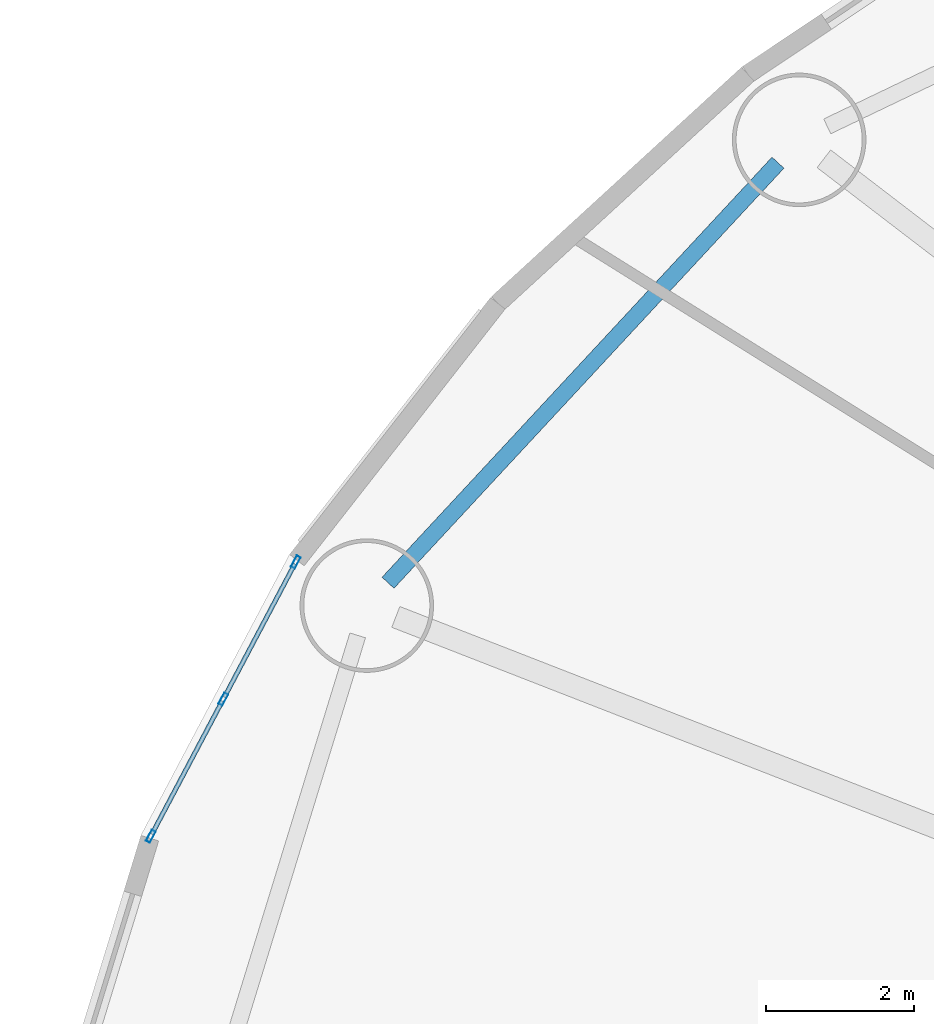
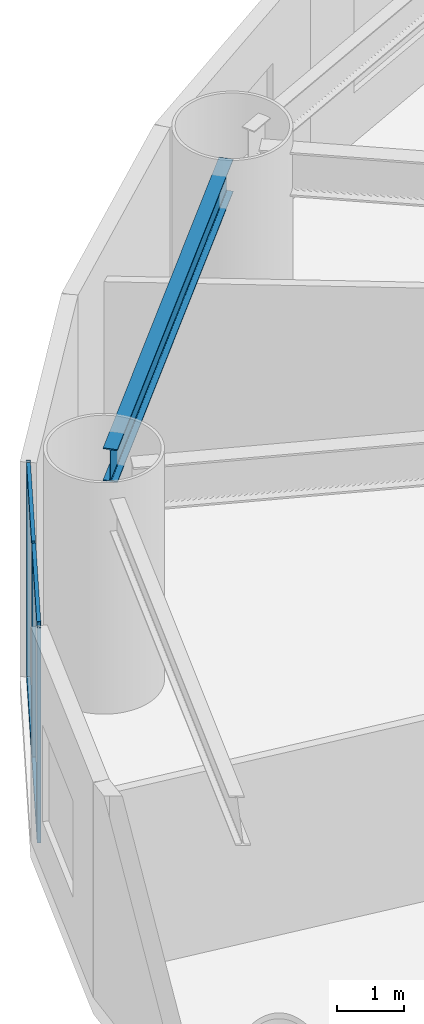
# One storey, part 8 of 27: 7 members, 1 beam, 1 element without a shape of its own.
"""IFC4 building model written with IfcOpenShell, lengths in metres."""

from ifc_helpers import new_model, si_unit, direction, frame, origin, origin_2d, place, context, subcontext, project, spatial, hollow_rectangle, i_section, extrude, source, transform, mapped, material, layer, layer_set, material_profile, profile_set, type_object, element, aggregate, save


model = new_model("IFC4")

# Units and contexts
model_context = context("Model", 3, precision=1e-05, world=origin(), true_north=direction((0.0, 1.0)))
body_context = subcontext(model_context, "Body", "Model", "MODEL_VIEW")
ifc_project = project(units=[si_unit("LENGTHUNIT", "METRE"), si_unit("AREAUNIT", "SQUARE_METRE"), si_unit("VOLUMEUNIT", "CUBIC_METRE"), si_unit("PLANEANGLEUNIT", "RADIAN"), si_unit("MASSUNIT", "GRAM", prefix="KILO")], contexts=[model_context])

# Site, building, storey
site_placement = place(None, origin())
site = spatial("IfcSite", under=ifc_project, at=site_placement, CompositionType="ELEMENT")
building_placement = place(site_placement, origin())
building = spatial("IfcBuilding", under=site, at=building_placement, Name="Linh Dai School and Residence Tower", CompositionType="ELEMENT")
storey_placement = place(building_placement, frame((0.0, 0.0, 18.60009765625)))
storey = spatial("IfcBuildingStorey", under=building, at=storey_placement, Name="L04", CompositionType="ELEMENT", Elevation=18.60009765625)

# Beam
ifc_material_1 = material(Name="Structural Steel S355JR", Category="steel")
ifc_material_profile_1 = material_profile(ifc_material_1, i_section(OverallWidth=0.219970703125, OverallDepth=0.60009765625, WebThickness=0.011962890625, FlangeThickness=0.01904296875, FilletRadius=0.02392578125, at=origin_2d()), Name="IPE 600")
ifc_profile_set_1 = profile_set([ifc_material_profile_1], Name="Structural Steel S355JR")
beam_type = type_object("IfcBeamType", Name="BM-RB60", PredefinedType="BEAM", material=ifc_profile_set_1)
beam_placement = place(storey_placement, frame((13.009033203125, 44.0927734375, 3.599853515625), z_axis=(-0.680345653715, -0.73289139132, 0.0), x_axis=(0.73289139132, -0.680345653715, 0.0)))
element("IfcBeam", 1, at=beam_placement, inside=storey, type_object=beam_type, Name="L04 Perimeter Elliptical Ring Beam 07", PredefinedType="BEAM", context=body_context, shape_type="SweptSolid", body=[
    extrude(i_section(OverallWidth=0.219970703125, OverallDepth=0.60009765625, WebThickness=0.011962890625, FlangeThickness=0.01904296875, FilletRadius=0.02392578125, at=origin_2d()), origin(), (0.0, 0.0, 1.0), 7.726806640625),
])

# Curtain wall, members
ifc_material_2 = material(Name="Aluminium Anodised Curtain Wall", Category="aluminium")
ifc_layer = layer(ifc_material_2, 0.169921875)
ifc_layer_set = layer_set([ifc_layer], Name="Aluminium Anodised Curtain Wall")
curtain_wall_type = type_object("IfcCurtainWallType", Name="CW-SYS-2", PredefinedType="USERDEFINED", material=ifc_layer_set)
curtain_wall_placement = place(storey_placement, origin())
curtain_wall = element("IfcCurtainWall", 2, at=curtain_wall_placement, inside=storey, type_object=curtain_wall_type, Name="L04 CW2 Curtain Wall 18", ObjectType="UNITISED CURTAIN WALL", PredefinedType="USERDEFINED")
ifc_material_3 = material(Name="Aluminium Alloy 6063-T6", Category="aluminium")
ifc_material_profile_2 = material_profile(ifc_material_3, hollow_rectangle(XDim=0.06005859375, YDim=0.169921875, WallThickness=0.00390625, at=origin_2d()), Name="RHS 170x60x4")
ifc_profile_set_2 = profile_set([ifc_material_profile_2], Name="Aluminium Alloy 6063-T6")
member_type_1 = type_object("IfcMemberType", Name="CW-SYS-2-MUL", PredefinedType="MULLION", material=ifc_profile_set_2)
shared_shape_1 = source(origin(), body_context, "Body", "SweptSolid", [
    extrude(hollow_rectangle(XDim=0.06005859375, YDim=0.169921875, WallThickness=0.00390625, at=origin_2d()), origin(), (0.0, 0.0, 1.0), 3.89990234375),
])
member_1_placement = place(storey_placement, frame((4.554443359375, 35.012939453125, 0.0), z_axis=(0.0, 0.0, 1.0), x_axis=(-0.883963927118, 0.467555104298, 0.0)))
member_1 = element("IfcMember", 3, at=member_1_placement, type_object=member_type_1, Name="CW2 mullion 1", PredefinedType="MULLION", context=body_context, shape_type="MappedRepresentation", body=[
    mapped(shared_shape_1, transform((0.0, 0.0, 0.0), x_axis=(1.0, 0.0, 0.0), y_axis=(0.0, 1.0, 0.0), z_axis=(0.0, 0.0, 1.0), scale=1.0)),
])
member_2_placement = place(storey_placement, frame((5.531982421875, 36.861083984375, 0.0), z_axis=(0.0, 0.0, 1.0), x_axis=(-0.883963927118, 0.467555104298, 0.0)))
member_2 = element("IfcMember", 4, at=member_2_placement, type_object=member_type_1, Name="CW2 mullion 2", PredefinedType="MULLION", context=body_context, shape_type="MappedRepresentation", body=[
    mapped(shared_shape_1, transform((0.0, 0.0, 0.0), x_axis=(1.0, 0.0, 0.0), y_axis=(0.0, 1.0, 0.0), z_axis=(0.0, 0.0, 1.0), scale=1.0)),
])
member_3_placement = place(storey_placement, frame((6.50927734375, 38.708984375, 0.0), z_axis=(0.0, 0.0, 1.0), x_axis=(-0.883963927118, 0.467555104298, 0.0)))
member_3 = element("IfcMember", 5, at=member_3_placement, type_object=member_type_1, Name="CW2 mullion 3", PredefinedType="MULLION", context=body_context, shape_type="MappedRepresentation", body=[
    mapped(shared_shape_1, transform((0.0, 0.0, 0.0), x_axis=(1.0, 0.0, 0.0), y_axis=(0.0, 1.0, 0.0), z_axis=(0.0, 0.0, 1.0), scale=1.0)),
])
ifc_material_profile_3 = material_profile(ifc_material_3, hollow_rectangle(XDim=0.06005859375, YDim=0.1298828125, WallThickness=0.00390625, at=origin_2d()), Name="RHS 130x60x4")
ifc_profile_set_3 = profile_set([ifc_material_profile_3], Name="Aluminium Alloy 6063-T6")
member_type_2 = type_object("IfcMemberType", Name="CW-SYS-2-TRN", PredefinedType="USERDEFINED", material=ifc_profile_set_3)
shared_shape_2 = source(origin(), body_context, "Body", "SweptSolid", [
    extrude(hollow_rectangle(XDim=0.06005859375, YDim=0.1298828125, WallThickness=0.00390625, at=origin_2d()), origin(), (0.0, 0.0, 1.0), 2.030517578125),
])
member_4_placement = place(storey_placement, frame((4.568359375, 35.03955078125, 0.02978515625), z_axis=(0.467583862208, 0.883948715596, 0.0), x_axis=(-0.883948715596, 0.467583862208, 0.0)))
member_4 = element("IfcMember", 6, at=member_4_placement, type_object=member_type_2, Name="CW2 transom 1.1", ObjectType="TRANSOM", PredefinedType="USERDEFINED", context=body_context, shape_type="MappedRepresentation", body=[
    mapped(shared_shape_2, transform((0.0, 0.0, 0.0), x_axis=(1.0, 0.0, 0.0), y_axis=(0.0, 1.0, 0.0), z_axis=(0.0, 0.0, 1.0), scale=1.0)),
])
member_5_placement = place(storey_placement, frame((4.568359375, 35.03955078125, 3.869873046875), z_axis=(0.467583862208, 0.883948715596, 0.0), x_axis=(-0.883948715596, 0.467583862208, 0.0)))
member_5 = element("IfcMember", 7, at=member_5_placement, type_object=member_type_2, Name="CW2 transom 1.2", ObjectType="TRANSOM", PredefinedType="USERDEFINED", context=body_context, shape_type="MappedRepresentation", body=[
    mapped(shared_shape_2, transform((0.0, 0.0, 0.0), x_axis=(1.0, 0.0, 0.0), y_axis=(0.0, 1.0, 0.0), z_axis=(0.0, 0.0, 1.0), scale=1.0)),
])
member_6_placement = place(storey_placement, frame((5.5458984375, 36.8876953125, 0.02978515625), z_axis=(0.467583862208, 0.883948715596, 0.0), x_axis=(-0.883948715596, 0.467583862208, 0.0)))
member_6 = element("IfcMember", 8, at=member_6_placement, type_object=member_type_2, Name="CW2 transom 2.1", ObjectType="TRANSOM", PredefinedType="USERDEFINED", context=body_context, shape_type="MappedRepresentation", body=[
    mapped(shared_shape_2, transform((0.0, 0.0, 0.0), x_axis=(1.0, 0.0, 0.0), y_axis=(0.0, 1.0, 0.0), z_axis=(0.0, 0.0, 1.0), scale=1.0)),
])
member_7_placement = place(storey_placement, frame((5.5458984375, 36.8876953125, 3.869873046875), z_axis=(0.467583862208, 0.883948715596, 0.0), x_axis=(-0.883948715596, 0.467583862208, 0.0)))
member_7 = element("IfcMember", 9, at=member_7_placement, type_object=member_type_2, Name="CW2 transom 2.2", ObjectType="TRANSOM", PredefinedType="USERDEFINED", context=body_context, shape_type="MappedRepresentation", body=[
    mapped(shared_shape_2, transform((0.0, 0.0, 0.0), x_axis=(1.0, 0.0, 0.0), y_axis=(0.0, 1.0, 0.0), z_axis=(0.0, 0.0, 1.0), scale=1.0)),
])
aggregate(curtain_wall, [member_1, member_2, member_3, member_4, member_5, member_6, member_7])

save(model, "model.ifc")
